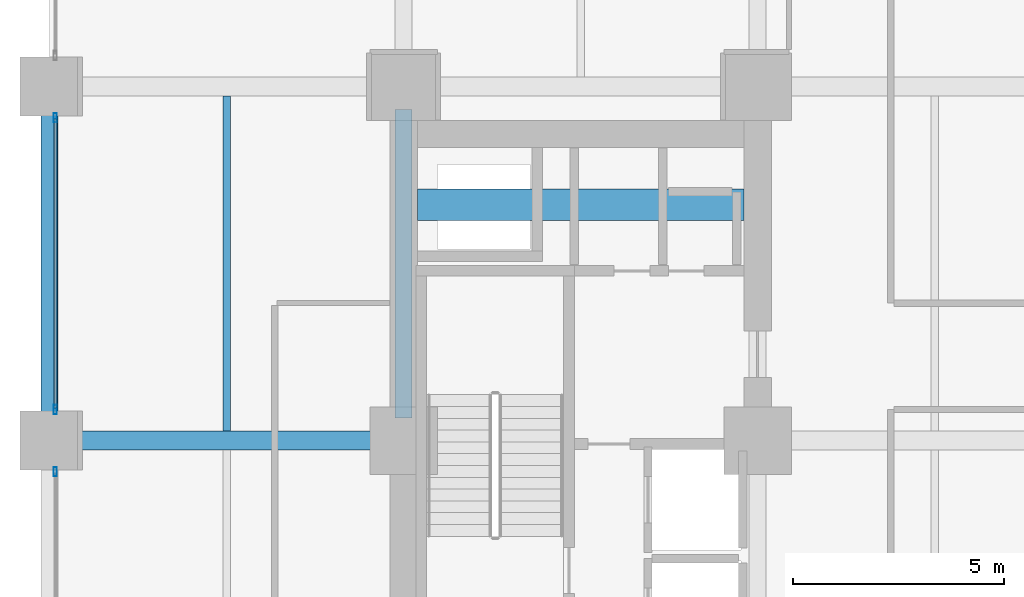
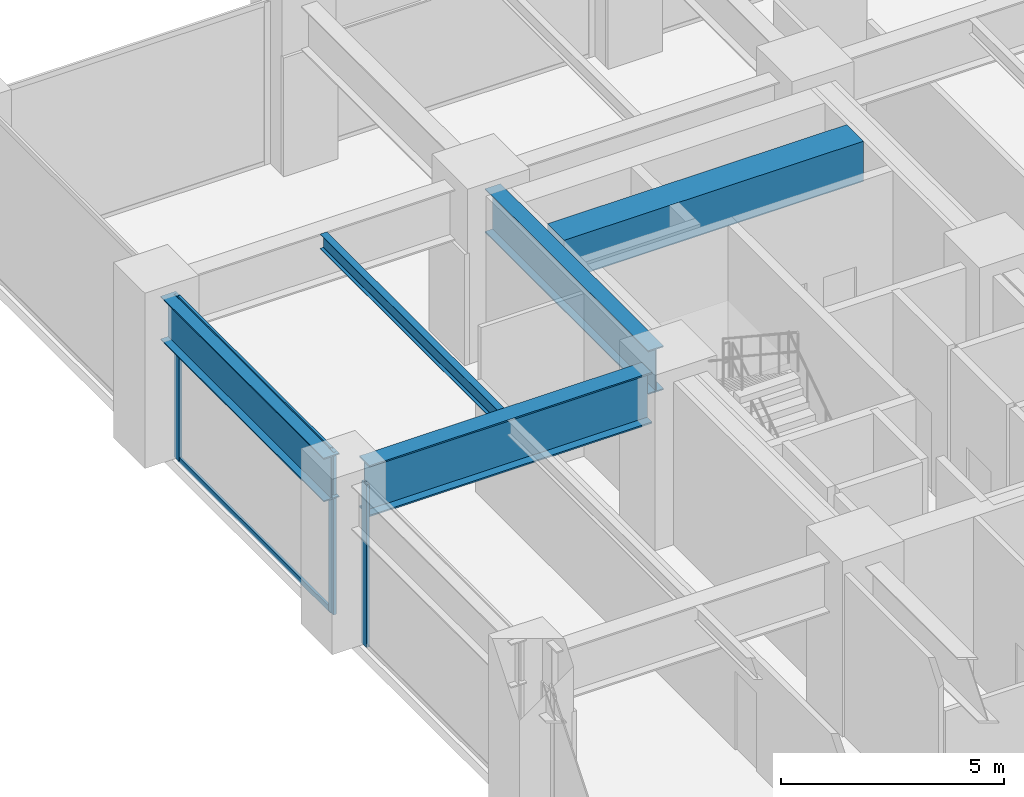
# One storey, part 9 of 24: 5 beams, 5 members, 2 elements without a shape of their own.
"""IFC4 building model written with IfcOpenShell, lengths in metres."""

import ifcopenshell
import ifcopenshell.guid

model = None  # the IFC model being written
_history = None  # IfcOwnerHistory: only IFC2X3 demands one
_inside = {}  # id of a spatial element -> (the spatial element, [elements in it])
_under = {}  # id of a project, library or spatial element -> (it, [spatial elements below it])
_declared = {}  # id of a project -> (the project, [libraries it declares])
_typed = {}  # id of a type object -> (the type object, [elements of that type])
_made_of = {}  # id of a material, layer set ... -> (it, [elements and type objects made of it])


def new_model(schema):
    """Start an empty IFC model of exactly this schema.

    Asked for "IFC4X3", IfcOpenShell would pick the latest addendum, in which some entities
    have other attributes; the version numbers below select the first issue.
    IFC2X3 requires an IfcOwnerHistory on every rooted entity: one is made here for all.
    """
    global model, _history
    if schema == "IFC4X3":
        model = ifcopenshell.file(schema_version=(4, 3, 0, 0))
    else:
        model = ifcopenshell.file(schema=schema)
    _inside.clear()
    _under.clear()
    _declared.clear()
    _typed.clear()
    _made_of.clear()
    _history = None
    if model.schema == "IFC2X3":
        org = make("IfcOrganization", Name="unknown")
        user = make(
            "IfcPersonAndOrganization",
            ThePerson=make("IfcPerson", FamilyName="unknown"),
            TheOrganization=org,
        )
        app = make(
            "IfcApplication",
            ApplicationDeveloper=org,
            Version="unknown",
            ApplicationFullName="unknown",
            ApplicationIdentifier="unknown",
        )
        _history = make(
            "IfcOwnerHistory",
            OwningUser=user,
            OwningApplication=app,
            ChangeAction="ADDED",
            CreationDate=0,
        )
    return model


def make(cls, **values):
    """One entity of the class cls with the attributes given. An attribute that is None is left unset."""
    return model.create_entity(
        cls, **{name: value for name, value in values.items() if value is not None}
    )


def rooted(cls, **values):
    """An entity with a GlobalId (a new one), such as an element, a storey or a relation."""
    return make(cls, GlobalId=ifcopenshell.guid.new(), OwnerHistory=_history, **values)


def si_unit(unit_type, name, prefix=None):
    """IfcSIUnit, for example si_unit("LENGTHUNIT", "METRE", prefix="MILLI")."""
    return make("IfcSIUnit", UnitType=unit_type, Prefix=prefix, Name=name)


def assignment(units):
    """IfcUnitAssignment: the units of a project."""
    return None if units is None else make("IfcUnitAssignment", Units=units)


def point(xyz):
    """IfcCartesianPoint."""
    return None if xyz is None else make("IfcCartesianPoint", Coordinates=xyz)


def direction(xyz):
    """IfcDirection."""
    return None if xyz is None else make("IfcDirection", DirectionRatios=xyz)


def frame(location, z_axis=None, x_axis=None):
    """IfcAxis2Placement3D, a coordinate frame: its origin and axes. An axis left out is left unset."""
    return make(
        "IfcAxis2Placement3D",
        Location=point(location),
        Axis=direction(z_axis),
        RefDirection=direction(x_axis),
    )


def frame_2d(location, x_axis=None):
    """IfcAxis2Placement2D, a coordinate frame in the plane: its origin and x axis."""
    return make(
        "IfcAxis2Placement2D", Location=point(location), RefDirection=direction(x_axis)
    )


def origin():
    """The frame at (0, 0, 0) with its axes left unset."""
    return frame((0.0, 0.0, 0.0))


def origin_2d():
    """The frame at (0, 0) in the plane with its x axis left unset."""
    return frame_2d((0.0, 0.0))


def place(relative_to, where):
    """IfcLocalPlacement: puts the frame where relative to a parent placement (None: the world)."""
    return make(
        "IfcLocalPlacement", PlacementRelTo=relative_to, RelativePlacement=where
    )


def context(
    kind, dimensions, precision=None, world=None, true_north=None, identifier=None
):
    """IfcGeometricRepresentationContext, for example the 3D "Model" context."""
    return make(
        "IfcGeometricRepresentationContext",
        ContextIdentifier=identifier,
        ContextType=kind,
        CoordinateSpaceDimension=dimensions,
        Precision=precision,
        WorldCoordinateSystem=world,
        TrueNorth=true_north,
    )


def subcontext(parent, identifier, kind, view, scale=None):
    """IfcGeometricRepresentationSubContext, for example "Body" below "Model"."""
    return make(
        "IfcGeometricRepresentationSubContext",
        ContextIdentifier=identifier,
        ContextType=kind,
        ParentContext=parent,
        TargetScale=scale,
        TargetView=view,
    )


def project(units=None, contexts=None):
    """IfcProject with its units and contexts."""
    return rooted(
        "IfcProject",
        Name="project",
        RepresentationContexts=contexts,
        UnitsInContext=assignment(units),
    )


def spatial(cls, under=None, at=None, **own):
    """A site, building, storey or space (cls), placed at a placement, below another one or the project."""
    s = rooted(cls, ObjectPlacement=at, **own)
    if under is not None:
        _under.setdefault(under.id(), (under, []))[1].append(s)
    return s


def profile(cls, at=None, kind="AREA", **sizes):
    """A parametric profile (cls). Its sizes go by their IFC names, for example OverallWidth=200.0."""
    return make(cls, ProfileType=kind, Position=at, **sizes)


def rectangle(**sizes):
    """IfcRectangleProfileDef."""
    return profile("IfcRectangleProfileDef", **sizes)


def hollow_rectangle(**sizes):
    """IfcRectangleHollowProfileDef."""
    return profile("IfcRectangleHollowProfileDef", **sizes)


def i_section(**sizes):
    """IfcIShapeProfileDef."""
    return profile("IfcIShapeProfileDef", **sizes)


def extrude(swept, where, along, depth):
    """IfcExtrudedAreaSolid: the profile swept, set in the frame where, extruded along a direction by depth."""
    return make(
        "IfcExtrudedAreaSolid",
        SweptArea=swept,
        Position=where,
        ExtrudedDirection=direction(along),
        Depth=depth,
    )


def shape(context_of_items, identifier, shape_type, items):
    """IfcShapeRepresentation: the items that make up one representation, for example the "Body"."""
    return make(
        "IfcShapeRepresentation",
        ContextOfItems=context_of_items,
        RepresentationIdentifier=identifier,
        RepresentationType=shape_type,
        Items=items,
    )


def material(Name=None, Category=None):
    """IfcMaterial."""
    return make("IfcMaterial", Name=Name, Category=Category)


def layer(
    of_material, thickness, ventilated=None, Name=None, Category=None, Priority=None
):
    """IfcMaterialLayer: one layer of a wall or slab, of a material (None: an air gap)."""
    return make(
        "IfcMaterialLayer",
        Material=of_material,
        LayerThickness=thickness,
        IsVentilated=ventilated,
        Name=Name,
        Category=Category,
        Priority=Priority,
    )


def layer_set(layers, Name=None):
    """IfcMaterialLayerSet."""
    return make("IfcMaterialLayerSet", MaterialLayers=layers, LayerSetName=Name)


def material_profile(
    of_material, cross_section, Name=None, Category=None, Priority=None
):
    """IfcMaterialProfile: a cross section and its material."""
    return make(
        "IfcMaterialProfile",
        Name=Name,
        Material=of_material,
        Profile=cross_section,
        Priority=Priority,
        Category=Category,
    )


def profile_set(profiles, Name=None, composite=None):
    """IfcMaterialProfileSet."""
    return make(
        "IfcMaterialProfileSet",
        Name=Name,
        MaterialProfiles=profiles,
        CompositeProfile=composite,
    )


def made_of(thing, what):
    """Note that an element or type object is made of a material, layer set ...; save() writes the relation."""
    if what is not None:
        _made_of.setdefault(what.id(), (what, []))[1].append(thing)
    return thing


def type_object(cls, material=None, **own):
    """A type object (cls), such as IfcWallType, which elements share."""
    return made_of(rooted(cls, **own), material)


def element(
    cls,
    number,
    at=None,
    inside=None,
    cuts=None,
    type_object=None,
    material=None,
    context=None,
    identifier="Body",
    shape_type=None,
    held_by="IfcProductDefinitionShape",
    body=None,
    shapes=None,
    **own,
):
    """One element of the class cls, such as IfcWall. Its Tag is "e" and its number.

    at: its placement. inside: the storey or other place that contains it. cuts: it is an
    opening in that element (IfcRelVoidsElement). A single representation is given by context,
    identifier, shape_type and body (its items); several are given by shapes. held_by: the class
    of the entity that holds the representations. save() writes the other relations.
    """
    e = rooted(cls, Tag="e%d" % number, ObjectPlacement=at, **own)
    if body is not None:
        shapes = [shape(context, identifier, shape_type, body)]
    if shapes is not None:
        e.Representation = make(held_by, Representations=shapes)
    if inside is not None:
        _inside.setdefault(inside.id(), (inside, []))[1].append(e)
    if cuts is not None:
        rooted(
            "IfcRelVoidsElement", RelatingBuildingElement=cuts, RelatedOpeningElement=e
        )
    if type_object is not None:
        _typed.setdefault(type_object.id(), (type_object, []))[1].append(e)
    return made_of(e, material)


def aggregate(whole, parts):
    """IfcRelAggregates: a whole, such as a stair, and the parts it consists of."""
    return rooted("IfcRelAggregates", RelatingObject=whole, RelatedObjects=parts)


def save(model, path):
    """Write the relations noted so far, then the file.

    IfcRelAggregates (storeys below a building ...), IfcRelContainedInSpatialStructure (elements
    in a storey), IfcRelDefinesByType, IfcRelAssociatesMaterial and IfcRelDeclares: one each for
    every whole, place, type object, material and project.
    """
    for whole, parts in _under.values():
        aggregate(whole, parts)
    for where, things in _inside.values():
        rooted(
            "IfcRelContainedInSpatialStructure",
            RelatedElements=things,
            RelatingStructure=where,
        )
    for kind, things in _typed.values():
        rooted("IfcRelDefinesByType", RelatedObjects=things, RelatingType=kind)
    for what, things in _made_of.values():
        rooted("IfcRelAssociatesMaterial", RelatedObjects=things, RelatingMaterial=what)
    for by, libraries in _declared.values():
        rooted("IfcRelDeclares", RelatingContext=by, RelatedDefinitions=libraries)
    model.write(path)


model = new_model("IFC4")

# Units and contexts
model_context = context("Model", 3, precision=1e-05, world=origin(), true_north=direction((0.0, 1.0)))
body_context = subcontext(model_context, "Body", "Model", "MODEL_VIEW")
ifc_project = project(units=[si_unit("LENGTHUNIT", "METRE"), si_unit("AREAUNIT", "SQUARE_METRE"), si_unit("VOLUMEUNIT", "CUBIC_METRE"), si_unit("PLANEANGLEUNIT", "RADIAN"), si_unit("MASSUNIT", "GRAM", prefix="KILO")], contexts=[model_context])

# Site, building, storey
site_placement = place(None, origin())
site = spatial("IfcSite", under=ifc_project, at=site_placement, CompositionType="ELEMENT")
building_placement = place(site_placement, origin())
building = spatial("IfcBuilding", under=site, at=building_placement, Name="Nerrivon Quay Data Exchange", CompositionType="ELEMENT")
storey_placement = place(building_placement, frame((0.0, 0.0, 15.0)))
storey = spatial("IfcBuildingStorey", under=building, at=storey_placement, Name="L03", CompositionType="ELEMENT", Elevation=15.0)

# Beams
ifc_material_1 = material(Name="Concrete S65 (65 MPa)", Category="concrete")
ifc_material_profile_1 = material_profile(ifc_material_1, rectangle(XDim=0.75, YDim=1.10009765625, at=origin_2d()), Name="RC-CB-750x1100")
ifc_profile_set_1 = profile_set([ifc_material_profile_1], Name="Concrete S65 (65 MPa)")
beam_type_1 = type_object("IfcBeamType", Name="BM-CB1-750x1100", PredefinedType="LINTEL", material=ifc_profile_set_1)
beam_1_placement = place(storey_placement, frame((8.72509765625, 39.199951171875, 3.89990234375), z_axis=(1.0, 0.0, 0.0), x_axis=(0.0, 1.0, 0.0)))
element("IfcBeam", 1, at=beam_1_placement, inside=storey, type_object=beam_type_1, Name="L03 West Core Coupling Beam", PredefinedType="LINTEL", context=body_context, shape_type="SweptSolid", body=[
    extrude(rectangle(XDim=0.75, YDim=1.10009765625, at=origin_2d()), origin(), (0.0, 0.0, 1.0), 7.75),
])
ifc_material_2 = material(Name="Steel Grade 350", Category="steel")
ifc_material_profile_2 = material_profile(ifc_material_2, i_section(OverallWidth=0.177978515625, OverallDepth=0.406005859375, WebThickness=0.0078125, FlangeThickness=0.0126953125, FilletRadius=0.011474609375, at=origin_2d()), Name="410UB59.7")
ifc_profile_set_2 = profile_set([ifc_material_profile_2], Name="Steel Grade 350")
beam_type_2 = type_object("IfcBeamType", Name="BM-J1-410UB60", PredefinedType="JOIST", material=ifc_profile_set_2)
beam_2_placement = place(storey_placement, frame((4.199951171875, 33.824951171875, 4.2470703125), z_axis=(0.0, 1.0, 0.0), x_axis=(-1.0, 0.0, 0.0)))
element("IfcBeam", 2, at=beam_2_placement, inside=storey, type_object=beam_type_2, Name="L03 Secondary Joist X=4.2 (33.6..42.0)", PredefinedType="JOIST", context=body_context, shape_type="SweptSolid", body=[
    extrude(i_section(OverallWidth=0.177978515625, OverallDepth=0.406005859375, WebThickness=0.0078125, FlangeThickness=0.0126953125, FilletRadius=0.011474609375, at=origin_2d()), origin(), (0.0, 0.0, 1.0), 7.949951171875),
])
ifc_material_profile_3 = material_profile(ifc_material_2, i_section(OverallWidth=0.449951171875, OverallDepth=1.39990234375, WebThickness=0.02001953125, FlangeThickness=0.0400390625, at=origin_2d()), Name="1400WG455")
ifc_profile_set_3 = profile_set([ifc_material_profile_3], Name="Steel Grade 350")
beam_type_3 = type_object("IfcBeamType", Name="BM-TG1-1400WG", PredefinedType="USERDEFINED", material=ifc_profile_set_3)
beam_3_placement = place(storey_placement, frame((0.5400390625, 33.60009765625, 3.75), z_axis=(1.0, 0.0, 0.0), x_axis=(0.0, 1.0, 0.0)))
element("IfcBeam", 3, at=beam_3_placement, inside=storey, type_object=beam_type_3, Name="L03 EW Girder Y=33.6 (0.0..8.4)", ObjectType="TRANSFER", PredefinedType="USERDEFINED", context=body_context, shape_type="SweptSolid", body=[
    extrude(i_section(OverallWidth=0.449951171875, OverallDepth=1.39990234375, WebThickness=0.02001953125, FlangeThickness=0.0400390625, at=origin_2d()), origin(), (0.0, 0.0, 1.0), 7.320068359375),
])
ifc_material_profile_4 = material_profile(ifc_material_2, i_section(OverallWidth=0.39990234375, OverallDepth=1.199951171875, WebThickness=0.01611328125, FlangeThickness=0.031982421875, at=origin_2d()), Name="1200WB342")
ifc_profile_set_4 = profile_set([ifc_material_profile_4], Name="Steel Grade 350")
beam_type_4 = type_object("IfcBeamType", Name="BM-TG2-1200WB", PredefinedType="USERDEFINED", material=ifc_profile_set_4)
for number, where, z_axis, x_axis, name in (
    (4, (0.0, 34.139892578125, 3.85009765625), (0.0, 1.0, 0.0), (-1.0, 0.0, 0.0), "L03 NS Girder X=0.0 (33.6..42.0)"),
    (5, (8.39990234375, 34.139892578125, 3.85009765625), (0.0, 1.0, 0.0), (-1.0, 0.0, 0.0), "L03 NS Girder X=8.4 (33.6..42.0)"),
):
    element("IfcBeam", number, at=place(storey_placement, frame(where, z_axis=z_axis, x_axis=x_axis)), inside=storey, type_object=beam_type_4, Name=name, ObjectType="TRANSFER", PredefinedType="USERDEFINED", context=body_context, shape_type="SweptSolid", body=[
        extrude(i_section(OverallWidth=0.39990234375, OverallDepth=1.199951171875, WebThickness=0.01611328125, FlangeThickness=0.031982421875, at=origin_2d()), origin(), (0.0, 0.0, 1.0), 7.320068359375),
    ])

# Curtain wall, member
ifc_material_3 = material(Name="Anodised aluminium 6063-T6", Category="aluminium")
ifc_layer = layer(ifc_material_3, 0.239990234375)
ifc_layer_set = layer_set([ifc_layer], Name="Anodised aluminium 6063-T6")
curtain_wall_type = type_object("IfcCurtainWallType", Name="CW-SYS-03", PredefinedType="NOTDEFINED", material=ifc_layer_set)
curtain_wall_1_placement = place(storey_placement, origin())
curtain_wall_1 = element("IfcCurtainWall", 6, at=curtain_wall_1_placement, inside=storey, type_object=curtain_wall_type, Name="L03 Unitised Curtain Wall 4", PredefinedType="NOTDEFINED")
ifc_material_profile_5 = material_profile(ifc_material_3, hollow_rectangle(XDim=0.074951171875, YDim=0.219970703125, WallThickness=0.00390625, at=origin_2d()), Name="ALU-MULL-220x75")
ifc_profile_set_5 = profile_set([ifc_material_profile_5], Name="Anodised aluminium 6063-T6")
member_type_1 = type_object("IfcMemberType", Name="CWM-220x75", PredefinedType="MULLION", material=ifc_profile_set_5)
member_1_placement = place(storey_placement, frame((0.139892578125, 32.862548828125, 0.0), z_axis=(0.0, 0.0, 1.0), x_axis=(-1.0, 0.0, 0.0)))
member_1 = element("IfcMember", 7, at=member_1_placement, type_object=member_type_1, Name="CW03 mullion 2", PredefinedType="MULLION", context=body_context, shape_type="SweptSolid", body=[
    extrude(hollow_rectangle(XDim=0.074951171875, YDim=0.219970703125, WallThickness=0.00390625, at=origin_2d()), origin(), (0.0, 0.0, 1.0), 4.449951171875),
])
aggregate(curtain_wall_1, [member_1])

# Curtain wall, members
curtain_wall_2_placement = place(storey_placement, origin())
curtain_wall_2 = element("IfcCurtainWall", 8, at=curtain_wall_2_placement, inside=storey, type_object=curtain_wall_type, Name="L03 Unitised Curtain Wall 5", PredefinedType="NOTDEFINED")
member_2_placement = place(storey_placement, frame((0.139892578125, 34.33740234375, 0.0), z_axis=(0.0, 0.0, 1.0), x_axis=(-1.0, 0.0, 0.0)))
member_2 = element("IfcMember", 9, at=member_2_placement, type_object=member_type_1, Name="CW03 mullion 1", PredefinedType="MULLION", context=body_context, shape_type="SweptSolid", body=[
    extrude(hollow_rectangle(XDim=0.074951171875, YDim=0.219970703125, WallThickness=0.00390625, at=origin_2d()), origin(), (0.0, 0.0, 1.0), 4.449951171875),
])
member_3_placement = place(storey_placement, frame((0.139892578125, 41.262451171875, 0.0), z_axis=(0.0, 0.0, 1.0), x_axis=(-1.0, 0.0, 0.0)))
member_3 = element("IfcMember", 10, at=member_3_placement, type_object=member_type_1, Name="CW03 mullion 2", PredefinedType="MULLION", context=body_context, shape_type="SweptSolid", body=[
    extrude(hollow_rectangle(XDim=0.074951171875, YDim=0.219970703125, WallThickness=0.00390625, at=origin_2d()), origin(), (0.0, 0.0, 1.0), 4.449951171875),
])
ifc_material_profile_6 = material_profile(ifc_material_3, hollow_rectangle(XDim=0.06494140625, YDim=0.14990234375, WallThickness=0.00341796875, at=origin_2d()), Name="ALU-TRAN-150x65")
ifc_profile_set_6 = profile_set([ifc_material_profile_6], Name="Anodised aluminium 6063-T6")
member_type_2 = type_object("IfcMemberType", Name="CWT-150x65", PredefinedType="USERDEFINED", material=ifc_profile_set_6)
member_4_placement = place(storey_placement, frame((0.139892578125, 34.375, 0.032470703125), z_axis=(0.0, 1.0, 0.0), x_axis=(-1.0, 0.0, 0.0)))
member_4 = element("IfcMember", 11, at=member_4_placement, type_object=member_type_2, Name="CW03 transom 1.1", ObjectType="TRANSOM", PredefinedType="USERDEFINED", context=body_context, shape_type="SweptSolid", body=[
    extrude(hollow_rectangle(XDim=0.06494140625, YDim=0.14990234375, WallThickness=0.00341796875, at=origin_2d()), origin(), (0.0, 0.0, 1.0), 6.85009765625),
])
member_5_placement = place(storey_placement, frame((0.139892578125, 34.375, 4.41748046875), z_axis=(0.0, 1.0, 0.0), x_axis=(-1.0, 0.0, 0.0)))
member_5 = element("IfcMember", 12, at=member_5_placement, type_object=member_type_2, Name="CW03 transom 1.2", ObjectType="TRANSOM", PredefinedType="USERDEFINED", context=body_context, shape_type="SweptSolid", body=[
    extrude(hollow_rectangle(XDim=0.06494140625, YDim=0.14990234375, WallThickness=0.00341796875, at=origin_2d()), origin(), (0.0, 0.0, 1.0), 6.85009765625),
])
aggregate(curtain_wall_2, [member_2, member_3, member_4, member_5])

save(model, "model.ifc")
